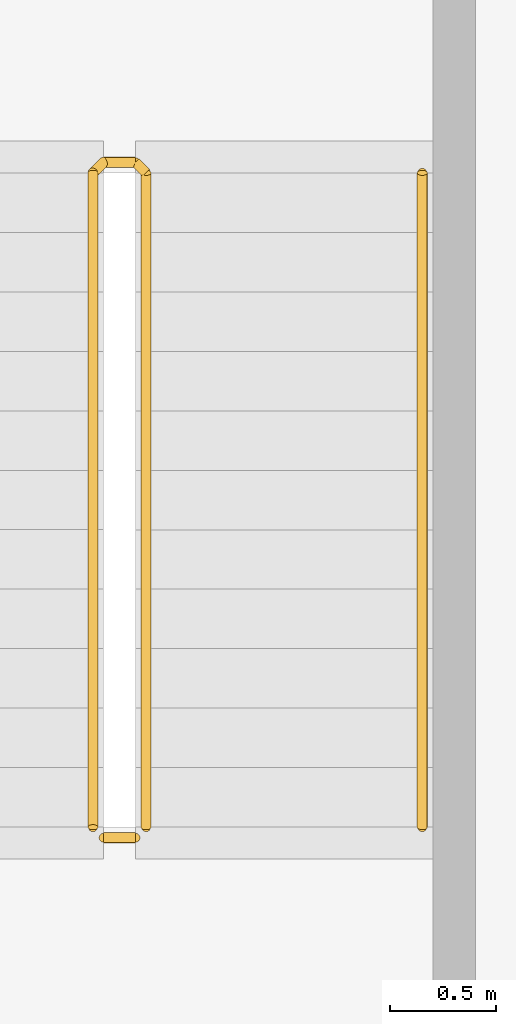
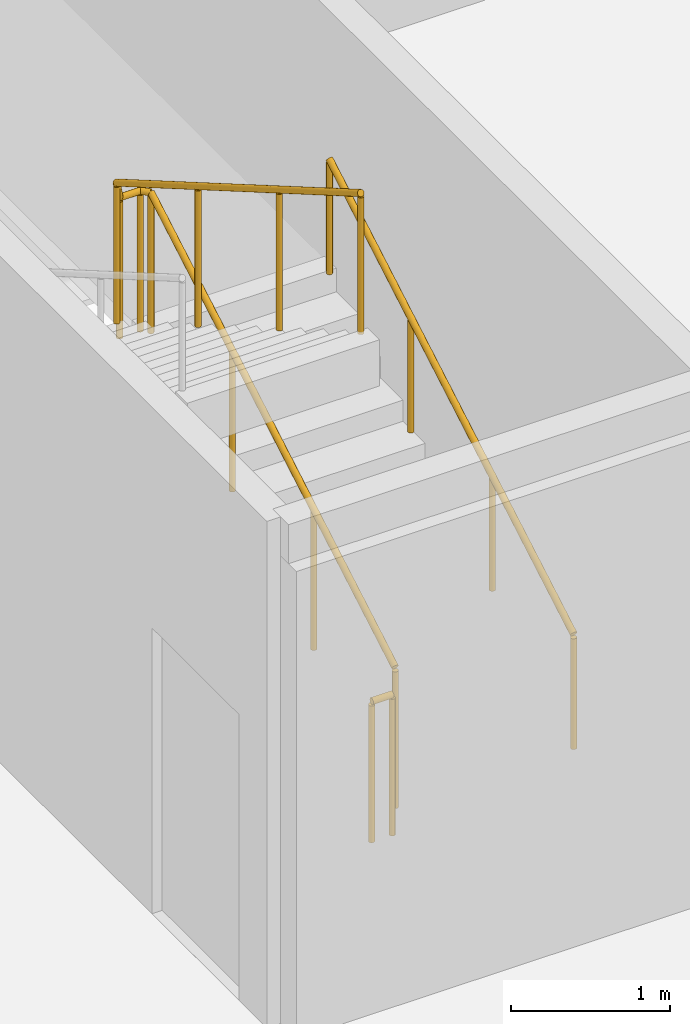
# One storey, part 22 of 23: 3 railings.
"""IFC4 building model written with IfcOpenShell, lengths in metres."""

from ifc_helpers import new_model, si_unit, direction, frame, origin, origin_2d, place, context, subcontext, project, spatial, circle, extrude, material, type_object, element, save


model = new_model("IFC4")

# Units and contexts
model_context = context("Model", 3, precision=1e-05, world=origin(), true_north=direction((0.0, 1.0)))
body_context = subcontext(model_context, "Body", "Model", "MODEL_VIEW")
ifc_project = project(units=[si_unit("LENGTHUNIT", "METRE"), si_unit("AREAUNIT", "SQUARE_METRE"), si_unit("VOLUMEUNIT", "CUBIC_METRE"), si_unit("PLANEANGLEUNIT", "RADIAN"), si_unit("MASSUNIT", "GRAM", prefix="KILO")], contexts=[model_context])

# Site, building, storey
site_placement = place(None, origin())
site = spatial("IfcSite", under=ifc_project, at=site_placement, CompositionType="ELEMENT")
building_placement = place(site_placement, origin())
building = spatial("IfcBuilding", under=site, at=building_placement, Name="Kheshtan School and Residences Tower", CompositionType="ELEMENT")
storey_placement = place(building_placement, frame((0.0, 0.0, 243.5)))
storey = spatial("IfcBuildingStorey", under=building, at=storey_placement, Name="L57", CompositionType="ELEMENT", Elevation=243.5)

# Railings
ifc_material_1 = material(Name="Stainless steel balustrade", Category="steel")
railing_type_1 = type_object("IfcRailingType", Name="Stair guard 1100", PredefinedType="GUARDRAIL", material=ifc_material_1)
railing_1_placement = place(storey_placement, frame((35.0, 80.89990234375, 0.16259765625)))
element("IfcRailing", 1, at=railing_1_placement, inside=storey, type_object=railing_type_1, Name="L57 ST3 stair guard 1", PredefinedType="GUARDRAIL", context=body_context, shape_type="SweptSolid", body=[
    extrude(circle(Radius=0.02392578125, at=origin_2d()), frame((0.0, 0.0, 1.076171875), z_axis=(0.0, 0.864920483161, 0.501908913857), x_axis=(-1.0, 0.0, 0.0)), (0.0, 0.0, 1.0), 3.56103515625),
    extrude(circle(Radius=0.02392578125, at=origin_2d()), frame((0.0, 3.080078125, 2.86328125), z_axis=(-0.707106781187, 0.707106781187, 0.0), x_axis=(-0.707106781187, -0.707106781187, 0.0)), (0.0, 0.0, 1.0), 0.07080078125),
    extrude(circle(Radius=0.02392578125, at=origin_2d()), frame((-0.050048828125, 3.130126953125, 2.86328125), z_axis=(-1.0, 0.0, 0.0), x_axis=(0.0, -1.0, 0.0)), (0.0, 0.0, 1.0), 0.14990234375),
    extrude(circle(Radius=0.02392578125, at=origin_2d()), frame((-0.199951171875, 3.130126953125, 2.86328125), z_axis=(-0.282227285176, -0.282227285176, 0.916894497205), x_axis=(0.707106781187, -0.707106781187, 0.0)), (0.0, 0.0, 1.0), 0.17724609375),
    extrude(circle(Radius=0.02392578125, at=origin_2d()), frame((-0.25, 3.080078125, 3.02587890625), z_axis=(0.0, -0.864920483161, 0.501908913857), x_axis=(1.0, 0.0, 0.0)), (0.0, 0.0, 1.0), 3.56103515625),
    extrude(circle(Radius=0.02099609375, at=origin_2d()), origin(), (0.0, 0.0, 1.0), 1.052001953125),
    extrude(circle(Radius=0.02099609375, at=origin_2d()), frame((0.0, 1.026611328125, 0.595703125)), (0.0, 0.0, 1.0), 1.052001953125),
    extrude(circle(Radius=0.02099609375, at=origin_2d()), frame((0.0, 2.053466796875, 1.191650390625)), (0.0, 0.0, 1.0), 1.052001953125),
    extrude(circle(Radius=0.02099609375, at=origin_2d()), frame((0.0, 3.080078125, 1.787353515625)), (0.0, 0.0, 1.0), 1.052001953125),
    extrude(circle(Radius=0.02099609375, at=origin_2d()), frame((-0.050048828125, 3.130126953125, 1.787353515625)), (0.0, 0.0, 1.0), 1.052001953125),
    extrude(circle(Radius=0.02099609375, at=origin_2d()), frame((-0.199951171875, 3.130126953125, 1.787353515625)), (0.0, 0.0, 1.0), 1.052001953125),
    extrude(circle(Radius=0.02099609375, at=origin_2d()), frame((-0.25, 3.080078125, 1.949951171875)), (0.0, 0.0, 1.0), 1.052001953125),
    extrude(circle(Radius=0.02099609375, at=origin_2d()), frame((-0.25, 2.053466796875, 2.545654296875)), (0.0, 0.0, 1.0), 1.052001953125),
    extrude(circle(Radius=0.02099609375, at=origin_2d()), frame((-0.25, 1.026611328125, 3.1416015625)), (0.0, 0.0, 1.0), 1.052001953125),
    extrude(circle(Radius=0.02099609375, at=origin_2d()), frame((-0.25, 0.0, 3.7373046875)), (0.0, 0.0, 1.0), 1.052001953125),
])
railing_2_placement = place(storey_placement, frame((34.949951171875, 80.85009765625, 0.0)))
element("IfcRailing", 2, at=railing_2_placement, inside=storey, type_object=railing_type_1, Name="L57 ST3 stair guard 2", PredefinedType="GUARDRAIL", context=body_context, shape_type="SweptSolid", body=[
    extrude(circle(Radius=0.02392578125, at=origin_2d()), frame((0.0, 0.0, 1.076171875), z_axis=(-1.0, 0.0, 0.0), x_axis=(0.0, -1.0, 0.0)), (0.0, 0.0, 1.0), 0.14990234375),
    extrude(circle(Radius=0.02099609375, at=origin_2d()), origin(), (0.0, 0.0, 1.0), 1.052001953125),
    extrude(circle(Radius=0.02099609375, at=origin_2d()), frame((-0.14990234375, 0.0, 0.0)), (0.0, 0.0, 1.0), 1.052001953125),
])
ifc_material_2 = material(Name="Stainless steel handrail", Category="steel")
railing_type_2 = type_object("IfcRailingType", Name="Stair handrail 900", PredefinedType="HANDRAIL", material=ifc_material_2)
railing_3_placement = place(storey_placement, frame((36.300048828125, 80.89990234375, 0.16259765625)))
element("IfcRailing", 3, at=railing_3_placement, inside=storey, type_object=railing_type_2, Name="L57 ST3 stair handrail 1", PredefinedType="HANDRAIL", context=body_context, shape_type="SweptSolid", body=[
    extrude(circle(Radius=0.02392578125, at=origin_2d()), frame((0.0, 0.0, 0.8759765625), z_axis=(0.0, 0.864920483161, 0.501908913857), x_axis=(-1.0, 0.0, 0.0)), (0.0, 0.0, 1.0), 3.56103515625),
    extrude(circle(Radius=0.02099609375, at=origin_2d()), origin(), (0.0, 0.0, 1.0), 0.851806640625),
    extrude(circle(Radius=0.02099609375, at=origin_2d()), frame((0.0, 1.026611328125, 0.595703125)), (0.0, 0.0, 1.0), 0.851806640625),
    extrude(circle(Radius=0.02099609375, at=origin_2d()), frame((0.0, 2.053466796875, 1.191650390625)), (0.0, 0.0, 1.0), 0.851806640625),
    extrude(circle(Radius=0.02099609375, at=origin_2d()), frame((0.0, 3.080078125, 1.787353515625)), (0.0, 0.0, 1.0), 0.851806640625),
])

save(model, "model.ifc")
